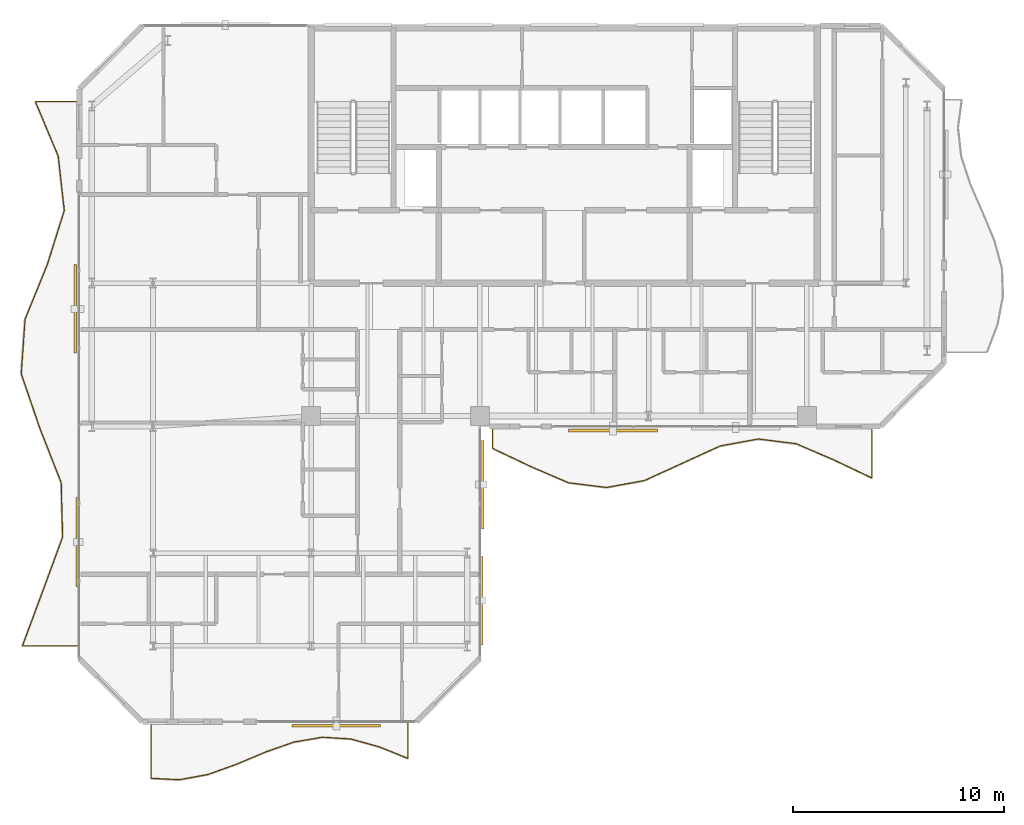
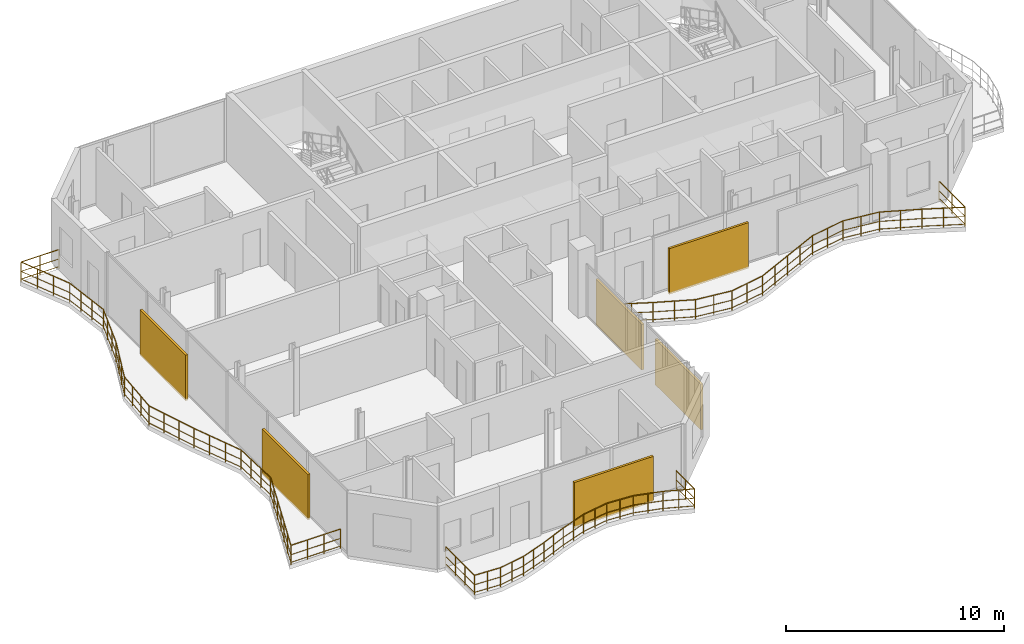
# One storey, part 21 of 22: 6 shading devices, 3 railings.
"""IFC4 building model written with IfcOpenShell, lengths in metres."""

from ifc_helpers import new_model, si_unit, direction, frame, origin, origin_2d, place, context, subcontext, project, spatial, rectangle, circle, extrude, material, type_object, element, save


model = new_model("IFC4")

# Units and contexts
model_context = context("Model", 3, precision=1e-05, world=origin(), true_north=direction((0.0, 1.0)))
body_context = subcontext(model_context, "Body", "Model", "MODEL_VIEW")
ifc_project = project(units=[si_unit("LENGTHUNIT", "METRE"), si_unit("AREAUNIT", "SQUARE_METRE"), si_unit("VOLUMEUNIT", "CUBIC_METRE"), si_unit("PLANEANGLEUNIT", "RADIAN"), si_unit("MASSUNIT", "GRAM", prefix="KILO")], contexts=[model_context])

# Site, building, storey
site_placement = place(None, origin())
site = spatial("IfcSite", under=ifc_project, at=site_placement, CompositionType="ELEMENT")
building_placement = place(site_placement, origin())
building = spatial("IfcBuilding", under=site, at=building_placement, Name="Catumbela Crestline Tower", CompositionType="ELEMENT")
storey_placement = place(building_placement, frame((0.0, 0.0, 233.6)))
storey = spatial("IfcBuildingStorey", under=building, at=storey_placement, Name="L60", CompositionType="ELEMENT", Elevation=233.6)

# Railings
ifc_material_1 = material(Name="Stainless steel EN 1.4401", Category="steel")
railing_type = type_object("IfcRailingType", Name="RB-1100", PredefinedType="BALUSTRADE", material=ifc_material_1)
railing_1_placement = place(storey_placement, frame((24.6, 23.94, 0.0)))
element("IfcRailing", 1, at=railing_1_placement, inside=storey, type_object=railing_type, Name="L60 Private Wave Balcony Balustrade 1", PredefinedType="BALUSTRADE", context=body_context, shape_type="SweptSolid", body=[
    extrude(circle(Radius=0.024, at=origin_2d()), frame((0.0, 0.0, 1.076), z_axis=(0.0, -1.0, 0.0), x_axis=(1.0, 0.0, 0.0)), (0.0, 0.0, 1.0), 0.9747),
    extrude(circle(Radius=0.0156, at=origin_2d()), frame((0.0, 0.0, 0.55), z_axis=(0.0, -1.0, 0.0), x_axis=(1.0, 0.0, 0.0)), (0.0, 0.0, 1.0), 0.9747),
    extrude(circle(Radius=0.0156, at=origin_2d()), frame((0.0, 0.0, 0.12), z_axis=(0.0, -1.0, 0.0), x_axis=(1.0, 0.0, 0.0)), (0.0, 0.0, 1.0), 0.9747),
    extrude(circle(Radius=0.024, at=origin_2d()), frame((0.0, -0.9747, 1.076), z_axis=(0.903141340366, -0.429343358306, 0.0), x_axis=(0.429343358306, 0.903141340366, 0.0)), (0.0, 0.0, 1.0), 1.993),
    extrude(circle(Radius=0.0156, at=origin_2d()), frame((0.0, -0.9747, 0.55), z_axis=(0.903141340366, -0.429343358306, 0.0), x_axis=(0.429343358306, 0.903141340366, 0.0)), (0.0, 0.0, 1.0), 1.993),
    extrude(circle(Radius=0.0156, at=origin_2d()), frame((0.0, -0.9747, 0.12), z_axis=(0.903141340366, -0.429343358306, 0.0), x_axis=(0.429343358306, 0.903141340366, 0.0)), (0.0, 0.0, 1.0), 1.993),
    extrude(circle(Radius=0.024, at=origin_2d()), frame((1.8, -1.8304, 1.076), z_axis=(0.91863214227, -0.395113891414, 0.0), x_axis=(0.395113891414, 0.91863214227, 0.0)), (0.0, 0.0, 1.0), 1.9594),
    extrude(circle(Radius=0.0156, at=origin_2d()), frame((1.8, -1.8304, 0.55), z_axis=(0.91863214227, -0.395113891414, 0.0), x_axis=(0.395113891414, 0.91863214227, 0.0)), (0.0, 0.0, 1.0), 1.9594),
    extrude(circle(Radius=0.0156, at=origin_2d()), frame((1.8, -1.8304, 0.12), z_axis=(0.91863214227, -0.395113891414, 0.0), x_axis=(0.395113891414, 0.91863214227, 0.0)), (0.0, 0.0, 1.0), 1.9594),
    extrude(circle(Radius=0.024, at=origin_2d()), frame((3.6, -2.6046, 1.076), z_axis=(0.992250714481, -0.124251839469, 0.0), x_axis=(0.124251839469, 0.992250714481, 0.0)), (0.0, 0.0, 1.0), 1.8141),
    extrude(circle(Radius=0.0156, at=origin_2d()), frame((3.6, -2.6046, 0.55), z_axis=(0.992250714481, -0.124251839469, 0.0), x_axis=(0.124251839469, 0.992250714481, 0.0)), (0.0, 0.0, 1.0), 1.8141),
    extrude(circle(Radius=0.0156, at=origin_2d()), frame((3.6, -2.6046, 0.12), z_axis=(0.992250714481, -0.124251839469, 0.0), x_axis=(0.124251839469, 0.992250714481, 0.0)), (0.0, 0.0, 1.0), 1.8141),
    extrude(circle(Radius=0.024, at=origin_2d()), frame((5.4, -2.83, 1.076), z_axis=(0.983751645667, 0.179534675334, 0.0), x_axis=(-0.179534675334, 0.983751645667, 0.0)), (0.0, 0.0, 1.0), 1.8297),
    extrude(circle(Radius=0.0156, at=origin_2d()), frame((5.4, -2.83, 0.55), z_axis=(0.983751645667, 0.179534675334, 0.0), x_axis=(-0.179534675334, 0.983751645667, 0.0)), (0.0, 0.0, 1.0), 1.8297),
    extrude(circle(Radius=0.0156, at=origin_2d()), frame((5.4, -2.83, 0.12), z_axis=(0.983751645667, 0.179534675334, 0.0), x_axis=(-0.179534675334, 0.983751645667, 0.0)), (0.0, 0.0, 1.0), 1.8297),
    extrude(circle(Radius=0.024, at=origin_2d()), frame((7.2, -2.5015, 1.076), z_axis=(0.909733657009, 0.415192332907, 0.0), x_axis=(-0.415192332907, 0.909733657009, 0.0)), (0.0, 0.0, 1.0), 1.9786),
    extrude(circle(Radius=0.0156, at=origin_2d()), frame((7.2, -2.5015, 0.55), z_axis=(0.909733657009, 0.415192332907, 0.0), x_axis=(-0.415192332907, 0.909733657009, 0.0)), (0.0, 0.0, 1.0), 1.9786),
    extrude(circle(Radius=0.0156, at=origin_2d()), frame((7.2, -2.5015, 0.12), z_axis=(0.909733657009, 0.415192332907, 0.0), x_axis=(-0.415192332907, 0.909733657009, 0.0)), (0.0, 0.0, 1.0), 1.9786),
    extrude(circle(Radius=0.024, at=origin_2d()), frame((9.0, -1.68, 1.076), z_axis=(0.909733657009, 0.415192332907, 0.0), x_axis=(-0.415192332907, 0.909733657009, 0.0)), (0.0, 0.0, 1.0), 1.9786),
    extrude(circle(Radius=0.0156, at=origin_2d()), frame((9.0, -1.68, 0.55), z_axis=(0.909733657009, 0.415192332907, 0.0), x_axis=(-0.415192332907, 0.909733657009, 0.0)), (0.0, 0.0, 1.0), 1.9786),
    extrude(circle(Radius=0.0156, at=origin_2d()), frame((9.0, -1.68, 0.12), z_axis=(0.909733657009, 0.415192332907, 0.0), x_axis=(-0.415192332907, 0.909733657009, 0.0)), (0.0, 0.0, 1.0), 1.9786),
    extrude(circle(Radius=0.024, at=origin_2d()), frame((10.8, -0.8585, 1.076), z_axis=(0.983751645667, 0.179534675334, 0.0), x_axis=(-0.179534675334, 0.983751645667, 0.0)), (0.0, 0.0, 1.0), 1.8297),
    extrude(circle(Radius=0.0156, at=origin_2d()), frame((10.8, -0.8585, 0.55), z_axis=(0.983751645667, 0.179534675334, 0.0), x_axis=(-0.179534675334, 0.983751645667, 0.0)), (0.0, 0.0, 1.0), 1.8297),
    extrude(circle(Radius=0.0156, at=origin_2d()), frame((10.8, -0.8585, 0.12), z_axis=(0.983751645667, 0.179534675334, 0.0), x_axis=(-0.179534675334, 0.983751645667, 0.0)), (0.0, 0.0, 1.0), 1.8297),
    extrude(circle(Radius=0.024, at=origin_2d()), frame((12.6, -0.53, 1.076), z_axis=(0.992250714481, -0.124251839469, 0.0), x_axis=(0.124251839469, 0.992250714481, 0.0)), (0.0, 0.0, 1.0), 1.8141),
    extrude(circle(Radius=0.0156, at=origin_2d()), frame((12.6, -0.53, 0.55), z_axis=(0.992250714481, -0.124251839469, 0.0), x_axis=(0.124251839469, 0.992250714481, 0.0)), (0.0, 0.0, 1.0), 1.8141),
    extrude(circle(Radius=0.0156, at=origin_2d()), frame((12.6, -0.53, 0.12), z_axis=(0.992250714481, -0.124251839469, 0.0), x_axis=(0.124251839469, 0.992250714481, 0.0)), (0.0, 0.0, 1.0), 1.8141),
    extrude(circle(Radius=0.024, at=origin_2d()), frame((14.4, -0.7554, 1.076), z_axis=(0.91863214227, -0.395113891414, 0.0), x_axis=(0.395113891414, 0.91863214227, 0.0)), (0.0, 0.0, 1.0), 1.9594),
    extrude(circle(Radius=0.0156, at=origin_2d()), frame((14.4, -0.7554, 0.55), z_axis=(0.91863214227, -0.395113891414, 0.0), x_axis=(0.395113891414, 0.91863214227, 0.0)), (0.0, 0.0, 1.0), 1.9594),
    extrude(circle(Radius=0.0156, at=origin_2d()), frame((14.4, -0.7554, 0.12), z_axis=(0.91863214227, -0.395113891414, 0.0), x_axis=(0.395113891414, 0.91863214227, 0.0)), (0.0, 0.0, 1.0), 1.9594),
    extrude(circle(Radius=0.024, at=origin_2d()), frame((16.2, -1.5296, 1.076), z_axis=(0.903141340366, -0.429343358306, 0.0), x_axis=(0.429343358306, 0.903141340366, 0.0)), (0.0, 0.0, 1.0), 1.993),
    extrude(circle(Radius=0.0156, at=origin_2d()), frame((16.2, -1.5296, 0.55), z_axis=(0.903141340366, -0.429343358306, 0.0), x_axis=(0.429343358306, 0.903141340366, 0.0)), (0.0, 0.0, 1.0), 1.993),
    extrude(circle(Radius=0.0156, at=origin_2d()), frame((16.2, -1.5296, 0.12), z_axis=(0.903141340366, -0.429343358306, 0.0), x_axis=(0.429343358306, 0.903141340366, 0.0)), (0.0, 0.0, 1.0), 1.993),
    extrude(circle(Radius=0.024, at=origin_2d()), frame((18.0, -2.3853, 1.076), z_axis=(0.0, 1.0, 0.0), x_axis=(-1.0, 0.0, 0.0)), (0.0, 0.0, 1.0), 2.3853),
    extrude(circle(Radius=0.0156, at=origin_2d()), frame((18.0, -2.3853, 0.55), z_axis=(0.0, 1.0, 0.0), x_axis=(-1.0, 0.0, 0.0)), (0.0, 0.0, 1.0), 2.3853),
    extrude(circle(Radius=0.0156, at=origin_2d()), frame((18.0, -2.3853, 0.12), z_axis=(0.0, 1.0, 0.0), x_axis=(-1.0, 0.0, 0.0)), (0.0, 0.0, 1.0), 2.3853),
    extrude(circle(Radius=0.021, at=origin_2d()), origin(), (0.0, 0.0, 1.0), 1.052),
    extrude(circle(Radius=0.021, at=origin_2d()), frame((0.0, -0.9747, 0.0)), (0.0, 0.0, 1.0), 1.052),
    extrude(circle(Radius=0.021, at=origin_2d()), frame((0.9, -1.4026, 0.0)), (0.0, 0.0, 1.0), 1.052),
    extrude(circle(Radius=0.021, at=origin_2d()), frame((1.8, -1.8304, 0.0)), (0.0, 0.0, 1.0), 1.052),
    extrude(circle(Radius=0.021, at=origin_2d()), frame((2.7, -2.2175, 0.0)), (0.0, 0.0, 1.0), 1.052),
    extrude(circle(Radius=0.021, at=origin_2d()), frame((3.6, -2.6046, 0.0)), (0.0, 0.0, 1.0), 1.052),
    extrude(circle(Radius=0.021, at=origin_2d()), frame((4.5, -2.7173, 0.0)), (0.0, 0.0, 1.0), 1.052),
    extrude(circle(Radius=0.021, at=origin_2d()), frame((5.4, -2.83, 0.0)), (0.0, 0.0, 1.0), 1.052),
    extrude(circle(Radius=0.021, at=origin_2d()), frame((6.3, -2.6658, 0.0)), (0.0, 0.0, 1.0), 1.052),
    extrude(circle(Radius=0.021, at=origin_2d()), frame((7.2, -2.5015, 0.0)), (0.0, 0.0, 1.0), 1.052),
    extrude(circle(Radius=0.021, at=origin_2d()), frame((8.1, -2.0908, 0.0)), (0.0, 0.0, 1.0), 1.052),
    extrude(circle(Radius=0.021, at=origin_2d()), frame((9.0, -1.68, 0.0)), (0.0, 0.0, 1.0), 1.052),
    extrude(circle(Radius=0.021, at=origin_2d()), frame((9.9, -1.2693, 0.0)), (0.0, 0.0, 1.0), 1.052),
    extrude(circle(Radius=0.021, at=origin_2d()), frame((10.8, -0.8585, 0.0)), (0.0, 0.0, 1.0), 1.052),
    extrude(circle(Radius=0.021, at=origin_2d()), frame((11.7, -0.6943, 0.0)), (0.0, 0.0, 1.0), 1.052),
    extrude(circle(Radius=0.021, at=origin_2d()), frame((12.6, -0.53, 0.0)), (0.0, 0.0, 1.0), 1.052),
    extrude(circle(Radius=0.021, at=origin_2d()), frame((13.5, -0.6427, 0.0)), (0.0, 0.0, 1.0), 1.052),
    extrude(circle(Radius=0.021, at=origin_2d()), frame((14.4, -0.7554, 0.0)), (0.0, 0.0, 1.0), 1.052),
    extrude(circle(Radius=0.021, at=origin_2d()), frame((15.3, -1.1425, 0.0)), (0.0, 0.0, 1.0), 1.052),
    extrude(circle(Radius=0.021, at=origin_2d()), frame((16.2, -1.5296, 0.0)), (0.0, 0.0, 1.0), 1.052),
    extrude(circle(Radius=0.021, at=origin_2d()), frame((17.1, -1.9575, 0.0)), (0.0, 0.0, 1.0), 1.052),
    extrude(circle(Radius=0.021, at=origin_2d()), frame((18.0, -2.3853, 0.0)), (0.0, 0.0, 1.0), 1.052),
    extrude(circle(Radius=0.021, at=origin_2d()), frame((18.0, -1.1927, 0.0)), (0.0, 0.0, 1.0), 1.052),
    extrude(circle(Radius=0.021, at=origin_2d()), frame((18.0, 0.0, 0.0)), (0.0, 0.0, 1.0), 1.052),
])
railing_2_placement = place(storey_placement, frame((8.4, 9.94, 0.0)))
element("IfcRailing", 2, at=railing_2_placement, inside=storey, type_object=railing_type, Name="L60 Private Wave Balcony Balustrade 3", PredefinedType="BALUSTRADE", context=body_context, shape_type="SweptSolid", body=[
    extrude(circle(Radius=0.024, at=origin_2d()), frame((0.0, 0.0, 1.076), z_axis=(0.0, -1.0, 0.0), x_axis=(1.0, 0.0, 0.0)), (0.0, 0.0, 1.0), 2.6198),
    extrude(circle(Radius=0.0156, at=origin_2d()), frame((0.0, 0.0, 0.55), z_axis=(0.0, -1.0, 0.0), x_axis=(1.0, 0.0, 0.0)), (0.0, 0.0, 1.0), 2.6198),
    extrude(circle(Radius=0.0156, at=origin_2d()), frame((0.0, 0.0, 0.12), z_axis=(0.0, -1.0, 0.0), x_axis=(1.0, 0.0, 0.0)), (0.0, 0.0, 1.0), 2.6198),
    extrude(circle(Radius=0.024, at=origin_2d()), frame((0.0, -2.6198, 1.076), z_axis=(0.998827606628, -0.048408803301, 0.0), x_axis=(0.048408803301, 0.998827606628, 0.0)), (0.0, 0.0, 1.0), 1.3572),
    extrude(circle(Radius=0.0156, at=origin_2d()), frame((0.0, -2.6198, 0.55), z_axis=(0.998827606628, -0.048408803301, 0.0), x_axis=(0.048408803301, 0.998827606628, 0.0)), (0.0, 0.0, 1.0), 1.3572),
    extrude(circle(Radius=0.0156, at=origin_2d()), frame((0.0, -2.6198, 0.12), z_axis=(0.998827606628, -0.048408803301, 0.0), x_axis=(0.048408803301, 0.998827606628, 0.0)), (0.0, 0.0, 1.0), 1.3572),
    extrude(circle(Radius=0.024, at=origin_2d()), frame((1.3556, -2.6855, 1.076), z_axis=(0.983426986136, 0.181304613674, 0.0), x_axis=(-0.181304613674, 0.983426986136, 0.0)), (0.0, 0.0, 1.0), 1.3783),
    extrude(circle(Radius=0.0156, at=origin_2d()), frame((1.3556, -2.6855, 0.55), z_axis=(0.983426986136, 0.181304613674, 0.0), x_axis=(-0.181304613674, 0.983426986136, 0.0)), (0.0, 0.0, 1.0), 1.3783),
    extrude(circle(Radius=0.0156, at=origin_2d()), frame((1.3556, -2.6855, 0.12), z_axis=(0.983426986136, 0.181304613674, 0.0), x_axis=(-0.181304613674, 0.983426986136, 0.0)), (0.0, 0.0, 1.0), 1.3783),
    extrude(circle(Radius=0.024, at=origin_2d()), frame((2.7111, -2.4356, 1.076), z_axis=(0.941111996888, 0.33809497085, 0.0), x_axis=(-0.33809497085, 0.941111996888, 0.0)), (0.0, 0.0, 1.0), 1.4404),
    extrude(circle(Radius=0.0156, at=origin_2d()), frame((2.7111, -2.4356, 0.55), z_axis=(0.941111996888, 0.33809497085, 0.0), x_axis=(-0.33809497085, 0.941111996888, 0.0)), (0.0, 0.0, 1.0), 1.4404),
    extrude(circle(Radius=0.0156, at=origin_2d()), frame((2.7111, -2.4356, 0.12), z_axis=(0.941111996888, 0.33809497085, 0.0), x_axis=(-0.33809497085, 0.941111996888, 0.0)), (0.0, 0.0, 1.0), 1.4404),
    extrude(circle(Radius=0.024, at=origin_2d()), frame((4.0667, -1.9486, 1.076), z_axis=(0.921498393666, 0.388382170639, 0.0), x_axis=(-0.388382170639, 0.921498393666, 0.0)), (0.0, 0.0, 1.0), 1.471),
    extrude(circle(Radius=0.0156, at=origin_2d()), frame((4.0667, -1.9486, 0.55), z_axis=(0.921498393666, 0.388382170639, 0.0), x_axis=(-0.388382170639, 0.921498393666, 0.0)), (0.0, 0.0, 1.0), 1.471),
    extrude(circle(Radius=0.0156, at=origin_2d()), frame((4.0667, -1.9486, 0.12), z_axis=(0.921498393666, 0.388382170639, 0.0), x_axis=(-0.388382170639, 0.921498393666, 0.0)), (0.0, 0.0, 1.0), 1.471),
    extrude(circle(Radius=0.024, at=origin_2d()), frame((5.4222, -1.3773, 1.076), z_axis=(0.943436606936, 0.33155296514, 0.0), x_axis=(-0.33155296514, 0.943436606936, 0.0)), (0.0, 0.0, 1.0), 1.4369),
    extrude(circle(Radius=0.0156, at=origin_2d()), frame((5.4222, -1.3773, 0.55), z_axis=(0.943436606936, 0.33155296514, 0.0), x_axis=(-0.33155296514, 0.943436606936, 0.0)), (0.0, 0.0, 1.0), 1.4369),
    extrude(circle(Radius=0.0156, at=origin_2d()), frame((5.4222, -1.3773, 0.12), z_axis=(0.943436606936, 0.33155296514, 0.0), x_axis=(-0.33155296514, 0.943436606936, 0.0)), (0.0, 0.0, 1.0), 1.4369),
    extrude(circle(Radius=0.024, at=origin_2d()), frame((6.7778, -0.9009, 1.076), z_axis=(0.98569137239, 0.168560132881, 0.0), x_axis=(-0.168560132881, 0.98569137239, 0.0)), (0.0, 0.0, 1.0), 1.3752),
    extrude(circle(Radius=0.0156, at=origin_2d()), frame((6.7778, -0.9009, 0.55), z_axis=(0.98569137239, 0.168560132881, 0.0), x_axis=(-0.168560132881, 0.98569137239, 0.0)), (0.0, 0.0, 1.0), 1.3752),
    extrude(circle(Radius=0.0156, at=origin_2d()), frame((6.7778, -0.9009, 0.12), z_axis=(0.98569137239, 0.168560132881, 0.0), x_axis=(-0.168560132881, 0.98569137239, 0.0)), (0.0, 0.0, 1.0), 1.3752),
    extrude(circle(Radius=0.024, at=origin_2d()), frame((8.1333, -0.6691, 1.076), z_axis=(0.998016894863, -0.06294662475, 0.0), x_axis=(0.06294662475, 0.998016894863, 0.0)), (0.0, 0.0, 1.0), 1.3583),
    extrude(circle(Radius=0.0156, at=origin_2d()), frame((8.1333, -0.6691, 0.55), z_axis=(0.998016894863, -0.06294662475, 0.0), x_axis=(0.06294662475, 0.998016894863, 0.0)), (0.0, 0.0, 1.0), 1.3583),
    extrude(circle(Radius=0.0156, at=origin_2d()), frame((8.1333, -0.6691, 0.12), z_axis=(0.998016894863, -0.06294662475, 0.0), x_axis=(0.06294662475, 0.998016894863, 0.0)), (0.0, 0.0, 1.0), 1.3583),
    extrude(circle(Radius=0.024, at=origin_2d()), frame((9.4889, -0.7546, 1.076), z_axis=(0.963651214601, -0.267163501621, 0.0), x_axis=(0.267163501621, 0.963651214601, 0.0)), (0.0, 0.0, 1.0), 1.4066),
    extrude(circle(Radius=0.0156, at=origin_2d()), frame((9.4889, -0.7546, 0.55), z_axis=(0.963651214601, -0.267163501621, 0.0), x_axis=(0.267163501621, 0.963651214601, 0.0)), (0.0, 0.0, 1.0), 1.4066),
    extrude(circle(Radius=0.0156, at=origin_2d()), frame((9.4889, -0.7546, 0.12), z_axis=(0.963651214601, -0.267163501621, 0.0), x_axis=(0.267163501621, 0.963651214601, 0.0)), (0.0, 0.0, 1.0), 1.4066),
    extrude(circle(Radius=0.024, at=origin_2d()), frame((10.8444, -1.1304, 1.076), z_axis=(0.927017013268, -0.375019275654, 0.0), x_axis=(0.375019275654, 0.927017013268, 0.0)), (0.0, 0.0, 1.0), 1.4623),
    extrude(circle(Radius=0.0156, at=origin_2d()), frame((10.8444, -1.1304, 0.55), z_axis=(0.927017013268, -0.375019275654, 0.0), x_axis=(0.375019275654, 0.927017013268, 0.0)), (0.0, 0.0, 1.0), 1.4623),
    extrude(circle(Radius=0.0156, at=origin_2d()), frame((10.8444, -1.1304, 0.12), z_axis=(0.927017013268, -0.375019275654, 0.0), x_axis=(0.375019275654, 0.927017013268, 0.0)), (0.0, 0.0, 1.0), 1.4623),
    extrude(circle(Radius=0.024, at=origin_2d()), frame((12.2, -1.6788, 1.076), z_axis=(0.0, 1.0, 0.0), x_axis=(-1.0, 0.0, 0.0)), (0.0, 0.0, 1.0), 1.6788),
    extrude(circle(Radius=0.0156, at=origin_2d()), frame((12.2, -1.6788, 0.55), z_axis=(0.0, 1.0, 0.0), x_axis=(-1.0, 0.0, 0.0)), (0.0, 0.0, 1.0), 1.6788),
    extrude(circle(Radius=0.0156, at=origin_2d()), frame((12.2, -1.6788, 0.12), z_axis=(0.0, 1.0, 0.0), x_axis=(-1.0, 0.0, 0.0)), (0.0, 0.0, 1.0), 1.6788),
    extrude(circle(Radius=0.021, at=origin_2d()), origin(), (0.0, 0.0, 1.0), 1.052),
    extrude(circle(Radius=0.021, at=origin_2d()), frame((0.0, -0.8733, 0.0)), (0.0, 0.0, 1.0), 1.052),
    extrude(circle(Radius=0.021, at=origin_2d()), frame((0.0, -1.7465, 0.0)), (0.0, 0.0, 1.0), 1.052),
    extrude(circle(Radius=0.021, at=origin_2d()), frame((0.0, -2.6198, 0.0)), (0.0, 0.0, 1.0), 1.052),
    extrude(circle(Radius=0.021, at=origin_2d()), frame((0.6778, -2.6526, 0.0)), (0.0, 0.0, 1.0), 1.052),
    extrude(circle(Radius=0.021, at=origin_2d()), frame((1.3556, -2.6855, 0.0)), (0.0, 0.0, 1.0), 1.052),
    extrude(circle(Radius=0.021, at=origin_2d()), frame((2.0333, -2.5605, 0.0)), (0.0, 0.0, 1.0), 1.052),
    extrude(circle(Radius=0.021, at=origin_2d()), frame((2.7111, -2.4356, 0.0)), (0.0, 0.0, 1.0), 1.052),
    extrude(circle(Radius=0.021, at=origin_2d()), frame((3.3889, -2.1921, 0.0)), (0.0, 0.0, 1.0), 1.052),
    extrude(circle(Radius=0.021, at=origin_2d()), frame((4.0667, -1.9486, 0.0)), (0.0, 0.0, 1.0), 1.052),
    extrude(circle(Radius=0.021, at=origin_2d()), frame((4.7444, -1.663, 0.0)), (0.0, 0.0, 1.0), 1.052),
    extrude(circle(Radius=0.021, at=origin_2d()), frame((5.4222, -1.3773, 0.0)), (0.0, 0.0, 1.0), 1.052),
    extrude(circle(Radius=0.021, at=origin_2d()), frame((6.1, -1.1391, 0.0)), (0.0, 0.0, 1.0), 1.052),
    extrude(circle(Radius=0.021, at=origin_2d()), frame((6.7778, -0.9009, 0.0)), (0.0, 0.0, 1.0), 1.052),
    extrude(circle(Radius=0.021, at=origin_2d()), frame((7.4556, -0.785, 0.0)), (0.0, 0.0, 1.0), 1.052),
    extrude(circle(Radius=0.021, at=origin_2d()), frame((8.1333, -0.6691, 0.0)), (0.0, 0.0, 1.0), 1.052),
    extrude(circle(Radius=0.021, at=origin_2d()), frame((8.8111, -0.7119, 0.0)), (0.0, 0.0, 1.0), 1.052),
    extrude(circle(Radius=0.021, at=origin_2d()), frame((9.4889, -0.7546, 0.0)), (0.0, 0.0, 1.0), 1.052),
    extrude(circle(Radius=0.021, at=origin_2d()), frame((10.1666, -0.9425, 0.0)), (0.0, 0.0, 1.0), 1.052),
    extrude(circle(Radius=0.021, at=origin_2d()), frame((10.8444, -1.1304, 0.0)), (0.0, 0.0, 1.0), 1.052),
    extrude(circle(Radius=0.021, at=origin_2d()), frame((11.5222, -1.4046, 0.0)), (0.0, 0.0, 1.0), 1.052),
    extrude(circle(Radius=0.021, at=origin_2d()), frame((12.2, -1.6788, 0.0)), (0.0, 0.0, 1.0), 1.052),
    extrude(circle(Radius=0.021, at=origin_2d()), frame((12.2, -0.8394, 0.0)), (0.0, 0.0, 1.0), 1.052),
    extrude(circle(Radius=0.021, at=origin_2d()), frame((12.2, 0.0, 0.0)), (0.0, 0.0, 1.0), 1.052),
])
railing_3_placement = place(storey_placement, frame((4.94, 39.4, 0.0)))
element("IfcRailing", 3, at=railing_3_placement, inside=storey, type_object=railing_type, Name="L60 Private Wave Balcony Balustrade 4", PredefinedType="BALUSTRADE", context=body_context, shape_type="SweptSolid", body=[
    extrude(circle(Radius=0.024, at=origin_2d()), frame((0.0, 0.0, 1.076), z_axis=(-1.0, 0.0, 0.0), x_axis=(0.0, -1.0, 0.0)), (0.0, 0.0, 1.0), 2.0119),
    extrude(circle(Radius=0.0156, at=origin_2d()), frame((0.0, 0.0, 0.55), z_axis=(-1.0, 0.0, 0.0), x_axis=(0.0, -1.0, 0.0)), (0.0, 0.0, 1.0), 2.0119),
    extrude(circle(Radius=0.0156, at=origin_2d()), frame((0.0, 0.0, 0.12), z_axis=(-1.0, 0.0, 0.0), x_axis=(0.0, -1.0, 0.0)), (0.0, 0.0, 1.0), 2.0119),
    extrude(circle(Radius=0.024, at=origin_2d()), frame((-2.0119, 0.0, 1.076), z_axis=(0.386867867141, -0.922135160036, 0.0), x_axis=(0.922135160036, 0.386867867141, 0.0)), (0.0, 0.0, 1.0), 2.7979),
    extrude(circle(Radius=0.0156, at=origin_2d()), frame((-2.0119, 0.0, 0.55), z_axis=(0.386867867141, -0.922135160036, 0.0), x_axis=(0.922135160036, 0.386867867141, 0.0)), (0.0, 0.0, 1.0), 2.7979),
    extrude(circle(Radius=0.0156, at=origin_2d()), frame((-2.0119, 0.0, 0.12), z_axis=(0.386867867141, -0.922135160036, 0.0), x_axis=(0.922135160036, 0.386867867141, 0.0)), (0.0, 0.0, 1.0), 2.7979),
    extrude(circle(Radius=0.024, at=origin_2d()), frame((-0.9295, -2.58, 1.076), z_axis=(0.110938854007, -0.993827233815, 0.0), x_axis=(0.993827233815, 0.110938854007, 0.0)), (0.0, 0.0, 1.0), 2.596),
    extrude(circle(Radius=0.0156, at=origin_2d()), frame((-0.9295, -2.58, 0.55), z_axis=(0.110938854007, -0.993827233815, 0.0), x_axis=(0.993827233815, 0.110938854007, 0.0)), (0.0, 0.0, 1.0), 2.596),
    extrude(circle(Radius=0.0156, at=origin_2d()), frame((-0.9295, -2.58, 0.12), z_axis=(0.110938854007, -0.993827233815, 0.0), x_axis=(0.993827233815, 0.110938854007, 0.0)), (0.0, 0.0, 1.0), 2.596),
    extrude(circle(Radius=0.024, at=origin_2d()), frame((-0.6415, -5.16, 1.076), z_axis=(-0.300009265038, -0.953936287648, 0.0), x_axis=(0.953936287648, -0.300009265038, 0.0)), (0.0, 0.0, 1.0), 2.7046),
    extrude(circle(Radius=0.0156, at=origin_2d()), frame((-0.6415, -5.16, 0.55), z_axis=(-0.300009265038, -0.953936287648, 0.0), x_axis=(0.953936287648, -0.300009265038, 0.0)), (0.0, 0.0, 1.0), 2.7046),
    extrude(circle(Radius=0.0156, at=origin_2d()), frame((-0.6415, -5.16, 0.12), z_axis=(-0.300009265038, -0.953936287648, 0.0), x_axis=(0.953936287648, -0.300009265038, 0.0)), (0.0, 0.0, 1.0), 2.7046),
    extrude(circle(Radius=0.024, at=origin_2d()), frame((-1.4529, -7.74, 1.076), z_axis=(-0.37750893405, -0.92600594205, 0.0), x_axis=(0.92600594205, -0.37750893405, 0.0)), (0.0, 0.0, 1.0), 2.7862),
    extrude(circle(Radius=0.0156, at=origin_2d()), frame((-1.4529, -7.74, 0.55), z_axis=(-0.37750893405, -0.92600594205, 0.0), x_axis=(0.92600594205, -0.37750893405, 0.0)), (0.0, 0.0, 1.0), 2.7862),
    extrude(circle(Radius=0.0156, at=origin_2d()), frame((-1.4529, -7.74, 0.12), z_axis=(-0.37750893405, -0.92600594205, 0.0), x_axis=(0.92600594205, -0.37750893405, 0.0)), (0.0, 0.0, 1.0), 2.7862),
    extrude(circle(Radius=0.024, at=origin_2d()), frame((-2.5047, -10.32, 1.076), z_axis=(-0.069136499634, -0.997607209486, 0.0), x_axis=(0.997607209486, -0.069136499634, 0.0)), (0.0, 0.0, 1.0), 2.5862),
    extrude(circle(Radius=0.0156, at=origin_2d()), frame((-2.5047, -10.32, 0.55), z_axis=(-0.069136499634, -0.997607209486, 0.0), x_axis=(0.997607209486, -0.069136499634, 0.0)), (0.0, 0.0, 1.0), 2.5862),
    extrude(circle(Radius=0.0156, at=origin_2d()), frame((-2.5047, -10.32, 0.12), z_axis=(-0.069136499634, -0.997607209486, 0.0), x_axis=(0.997607209486, -0.069136499634, 0.0)), (0.0, 0.0, 1.0), 2.5862),
    extrude(circle(Radius=0.024, at=origin_2d()), frame((-2.6835, -12.9, 1.076), z_axis=(0.32397274328, -0.946066415011, 0.0), x_axis=(0.946066415011, 0.32397274328, 0.0)), (0.0, 0.0, 1.0), 2.7271),
    extrude(circle(Radius=0.0156, at=origin_2d()), frame((-2.6835, -12.9, 0.55), z_axis=(0.32397274328, -0.946066415011, 0.0), x_axis=(0.946066415011, 0.32397274328, 0.0)), (0.0, 0.0, 1.0), 2.7271),
    extrude(circle(Radius=0.0156, at=origin_2d()), frame((-2.6835, -12.9, 0.12), z_axis=(0.32397274328, -0.946066415011, 0.0), x_axis=(0.946066415011, 0.32397274328, 0.0)), (0.0, 0.0, 1.0), 2.7271),
    extrude(circle(Radius=0.024, at=origin_2d()), frame((-1.8, -15.48, 1.076), z_axis=(0.364691898217, -0.931128250766, 0.0), x_axis=(0.931128250766, 0.364691898217, 0.0)), (0.0, 0.0, 1.0), 2.7708),
    extrude(circle(Radius=0.0156, at=origin_2d()), frame((-1.8, -15.48, 0.55), z_axis=(0.364691898217, -0.931128250766, 0.0), x_axis=(0.931128250766, 0.364691898217, 0.0)), (0.0, 0.0, 1.0), 2.7708),
    extrude(circle(Radius=0.0156, at=origin_2d()), frame((-1.8, -15.48, 0.12), z_axis=(0.364691898217, -0.931128250766, 0.0), x_axis=(0.931128250766, 0.364691898217, 0.0)), (0.0, 0.0, 1.0), 2.7708),
    extrude(circle(Radius=0.024, at=origin_2d()), frame((-0.7895, -18.06, 1.076), z_axis=(0.02627000044, -0.999654883986, 0.0), x_axis=(0.999654883986, 0.02627000044, 0.0)), (0.0, 0.0, 1.0), 2.5809),
    extrude(circle(Radius=0.0156, at=origin_2d()), frame((-0.7895, -18.06, 0.55), z_axis=(0.02627000044, -0.999654883986, 0.0), x_axis=(0.999654883986, 0.02627000044, 0.0)), (0.0, 0.0, 1.0), 2.5809),
    extrude(circle(Radius=0.0156, at=origin_2d()), frame((-0.7895, -18.06, 0.12), z_axis=(0.02627000044, -0.999654883986, 0.0), x_axis=(0.999654883986, 0.02627000044, 0.0)), (0.0, 0.0, 1.0), 2.5809),
    extrude(circle(Radius=0.024, at=origin_2d()), frame((-0.7217, -20.64, 1.076), z_axis=(-0.344447094642, -0.938805730166, 0.0), x_axis=(0.938805730166, -0.344447094642, 0.0)), (0.0, 0.0, 1.0), 2.7482),
    extrude(circle(Radius=0.0156, at=origin_2d()), frame((-0.7217, -20.64, 0.55), z_axis=(-0.344447094642, -0.938805730166, 0.0), x_axis=(0.938805730166, -0.344447094642, 0.0)), (0.0, 0.0, 1.0), 2.7482),
    extrude(circle(Radius=0.0156, at=origin_2d()), frame((-0.7217, -20.64, 0.12), z_axis=(-0.344447094642, -0.938805730166, 0.0), x_axis=(0.938805730166, -0.344447094642, 0.0)), (0.0, 0.0, 1.0), 2.7482),
    extrude(circle(Radius=0.024, at=origin_2d()), frame((-1.6683, -23.22, 1.076), z_axis=(-0.348414565572, -0.937340541371, 0.0), x_axis=(0.937340541371, -0.348414565572, 0.0)), (0.0, 0.0, 1.0), 2.7525),
    extrude(circle(Radius=0.0156, at=origin_2d()), frame((-1.6683, -23.22, 0.55), z_axis=(-0.348414565572, -0.937340541371, 0.0), x_axis=(0.937340541371, -0.348414565572, 0.0)), (0.0, 0.0, 1.0), 2.7525),
    extrude(circle(Radius=0.0156, at=origin_2d()), frame((-1.6683, -23.22, 0.12), z_axis=(-0.348414565572, -0.937340541371, 0.0), x_axis=(0.937340541371, -0.348414565572, 0.0)), (0.0, 0.0, 1.0), 2.7525),
    extrude(circle(Radius=0.024, at=origin_2d()), frame((-2.6273, -25.8, 1.076), z_axis=(1.0, 0.0, 0.0), x_axis=(0.0, 1.0, 0.0)), (0.0, 0.0, 1.0), 2.6273),
    extrude(circle(Radius=0.0156, at=origin_2d()), frame((-2.6273, -25.8, 0.55), z_axis=(1.0, 0.0, 0.0), x_axis=(0.0, 1.0, 0.0)), (0.0, 0.0, 1.0), 2.6273),
    extrude(circle(Radius=0.0156, at=origin_2d()), frame((-2.6273, -25.8, 0.12), z_axis=(1.0, 0.0, 0.0), x_axis=(0.0, 1.0, 0.0)), (0.0, 0.0, 1.0), 2.6273),
    extrude(circle(Radius=0.021, at=origin_2d()), origin(), (0.0, 0.0, 1.0), 1.052),
    extrude(circle(Radius=0.021, at=origin_2d()), frame((-1.006, 0.0, 0.0)), (0.0, 0.0, 1.0), 1.052),
    extrude(circle(Radius=0.021, at=origin_2d()), frame((-2.0119, 0.0, 0.0)), (0.0, 0.0, 1.0), 1.052),
    extrude(circle(Radius=0.021, at=origin_2d()), frame((-1.6511, -0.86, 0.0)), (0.0, 0.0, 1.0), 1.052),
    extrude(circle(Radius=0.021, at=origin_2d()), frame((-1.2903, -1.72, 0.0)), (0.0, 0.0, 1.0), 1.052),
    extrude(circle(Radius=0.021, at=origin_2d()), frame((-0.9295, -2.58, 0.0)), (0.0, 0.0, 1.0), 1.052),
    extrude(circle(Radius=0.021, at=origin_2d()), frame((-0.8335, -3.44, 0.0)), (0.0, 0.0, 1.0), 1.052),
    extrude(circle(Radius=0.021, at=origin_2d()), frame((-0.7375, -4.3, 0.0)), (0.0, 0.0, 1.0), 1.052),
    extrude(circle(Radius=0.021, at=origin_2d()), frame((-0.6415, -5.16, 0.0)), (0.0, 0.0, 1.0), 1.052),
    extrude(circle(Radius=0.021, at=origin_2d()), frame((-0.912, -6.02, 0.0)), (0.0, 0.0, 1.0), 1.052),
    extrude(circle(Radius=0.021, at=origin_2d()), frame((-1.1824, -6.88, 0.0)), (0.0, 0.0, 1.0), 1.052),
    extrude(circle(Radius=0.021, at=origin_2d()), frame((-1.4529, -7.74, 0.0)), (0.0, 0.0, 1.0), 1.052),
    extrude(circle(Radius=0.021, at=origin_2d()), frame((-1.8035, -8.6, 0.0)), (0.0, 0.0, 1.0), 1.052),
    extrude(circle(Radius=0.021, at=origin_2d()), frame((-2.1541, -9.46, 0.0)), (0.0, 0.0, 1.0), 1.052),
    extrude(circle(Radius=0.021, at=origin_2d()), frame((-2.5047, -10.32, 0.0)), (0.0, 0.0, 1.0), 1.052),
    extrude(circle(Radius=0.021, at=origin_2d()), frame((-2.5643, -11.18, 0.0)), (0.0, 0.0, 1.0), 1.052),
    extrude(circle(Radius=0.021, at=origin_2d()), frame((-2.6239, -12.04, 0.0)), (0.0, 0.0, 1.0), 1.052),
    extrude(circle(Radius=0.021, at=origin_2d()), frame((-2.6835, -12.9, 0.0)), (0.0, 0.0, 1.0), 1.052),
    extrude(circle(Radius=0.021, at=origin_2d()), frame((-2.389, -13.76, 0.0)), (0.0, 0.0, 1.0), 1.052),
    extrude(circle(Radius=0.021, at=origin_2d()), frame((-2.0945, -14.62, 0.0)), (0.0, 0.0, 1.0), 1.052),
    extrude(circle(Radius=0.021, at=origin_2d()), frame((-1.8, -15.48, 0.0)), (0.0, 0.0, 1.0), 1.052),
    extrude(circle(Radius=0.021, at=origin_2d()), frame((-1.4632, -16.34, 0.0)), (0.0, 0.0, 1.0), 1.052),
    extrude(circle(Radius=0.021, at=origin_2d()), frame((-1.1263, -17.2, 0.0)), (0.0, 0.0, 1.0), 1.052),
    extrude(circle(Radius=0.021, at=origin_2d()), frame((-0.7895, -18.06, 0.0)), (0.0, 0.0, 1.0), 1.052),
    extrude(circle(Radius=0.021, at=origin_2d()), frame((-0.7669, -18.92, 0.0)), (0.0, 0.0, 1.0), 1.052),
    extrude(circle(Radius=0.021, at=origin_2d()), frame((-0.7443, -19.78, 0.0)), (0.0, 0.0, 1.0), 1.052),
    extrude(circle(Radius=0.021, at=origin_2d()), frame((-0.7217, -20.64, 0.0)), (0.0, 0.0, 1.0), 1.052),
    extrude(circle(Radius=0.021, at=origin_2d()), frame((-1.0372, -21.5, 0.0)), (0.0, 0.0, 1.0), 1.052),
    extrude(circle(Radius=0.021, at=origin_2d()), frame((-1.3528, -22.36, 0.0)), (0.0, 0.0, 1.0), 1.052),
    extrude(circle(Radius=0.021, at=origin_2d()), frame((-1.6683, -23.22, 0.0)), (0.0, 0.0, 1.0), 1.052),
    extrude(circle(Radius=0.021, at=origin_2d()), frame((-1.988, -24.08, 0.0)), (0.0, 0.0, 1.0), 1.052),
    extrude(circle(Radius=0.021, at=origin_2d()), frame((-2.3076, -24.94, 0.0)), (0.0, 0.0, 1.0), 1.052),
    extrude(circle(Radius=0.021, at=origin_2d()), frame((-2.6273, -25.8, 0.0)), (0.0, 0.0, 1.0), 1.052),
    extrude(circle(Radius=0.021, at=origin_2d()), frame((-1.7515, -25.8, 0.0)), (0.0, 0.0, 1.0), 1.052),
    extrude(circle(Radius=0.021, at=origin_2d()), frame((-0.8758, -25.8, 0.0)), (0.0, 0.0, 1.0), 1.052),
    extrude(circle(Radius=0.021, at=origin_2d()), frame((0.0, -25.8, 0.0)), (0.0, 0.0, 1.0), 1.052),
])

# Shading devices
ifc_material_2 = material(Name="Extruded terracotta ceramic", Category="masonry")
shading_device_type_1 = type_object("IfcShadingDeviceType", Name="ST-180", PredefinedType="USERDEFINED", material=ifc_material_2)
for number, where, z_axis, x_axis, name in (
    (4, (24.099, 15.75, -0.1), (0.0, 0.0, 1.0), (0.0, 1.0, 0.0), "L60 Perforated Terracotta Solar Screen 718 (180 mm)"),
    (5, (4.901, 18.525, -0.1), (0.0, 0.0, 1.0), (0.0, -1.0, 0.0), "L60 Perforated Terracotta Solar Screen 725 (180 mm)"),
):
    element("IfcShadingDevice", number, at=place(storey_placement, frame(where, z_axis=z_axis, x_axis=x_axis)), inside=storey, type_object=shading_device_type_1, Name=name, ObjectType="SCREEN", PredefinedType="USERDEFINED", context=body_context, shape_type="SweptSolid", body=[
        extrude(rectangle(XDim=4.2, YDim=0.12, at=origin_2d()), origin(), (0.0, 0.0, 1.0), 2.55),
    ])
shading_device_type_2 = type_object("IfcShadingDeviceType", Name="ST-260", PredefinedType="USERDEFINED", material=ifc_material_2)
shading_device_placement = place(storey_placement, frame((24.143, 21.25, -0.1), z_axis=(0.0, 0.0, 1.0), x_axis=(0.0, 1.0, 0.0)))
element("IfcShadingDevice", 6, at=shading_device_placement, inside=storey, type_object=shading_device_type_2, Name="L60 Perforated Terracotta Solar Screen 719 (260 mm)", ObjectType="SCREEN", PredefinedType="USERDEFINED", context=body_context, shape_type="SweptSolid", body=[
    extrude(rectangle(XDim=4.2, YDim=0.12, at=origin_2d()), origin(), (0.0, 0.0, 1.0), 2.55),
])
shading_device_type_3 = type_object("IfcShadingDeviceType", Name="ST-340", PredefinedType="USERDEFINED", material=ifc_material_2)
for number, where, z_axis, x_axis, name in (
    (7, (17.2, 9.813, -0.1), (0.0, 0.0, 1.0), (1.0, 0.0, 0.0), "L60 Perforated Terracotta Solar Screen 717 (340 mm)"),
    (8, (30.3125, 23.813, -0.1), (0.0, 0.0, 1.0), (1.0, 0.0, 0.0), "L60 Perforated Terracotta Solar Screen 720 (340 mm)"),
    (9, (4.813, 29.575, -0.1), (0.0, 0.0, 1.0), (0.0, -1.0, 0.0), "L60 Perforated Terracotta Solar Screen 724 (340 mm)"),
):
    element("IfcShadingDevice", number, at=place(storey_placement, frame(where, z_axis=z_axis, x_axis=x_axis)), inside=storey, type_object=shading_device_type_3, Name=name, ObjectType="SCREEN", PredefinedType="USERDEFINED", context=body_context, shape_type="SweptSolid", body=[
        extrude(rectangle(XDim=4.2, YDim=0.12, at=origin_2d()), origin(), (0.0, 0.0, 1.0), 2.55),
    ])

save(model, "model.ifc")
